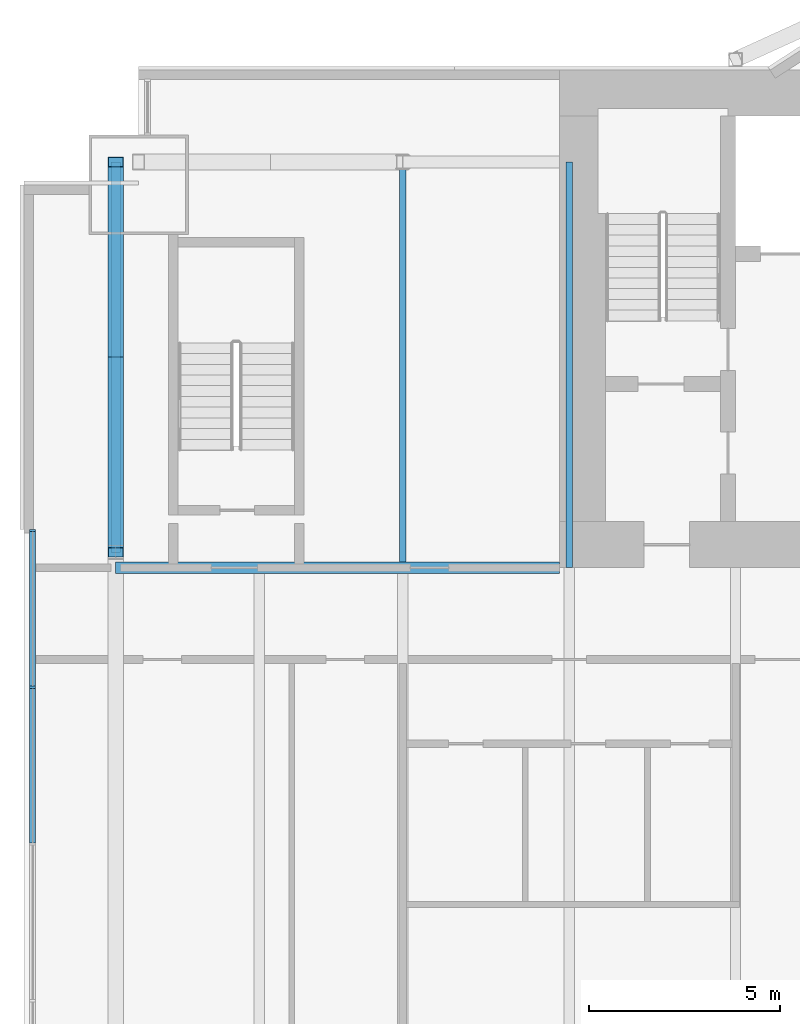
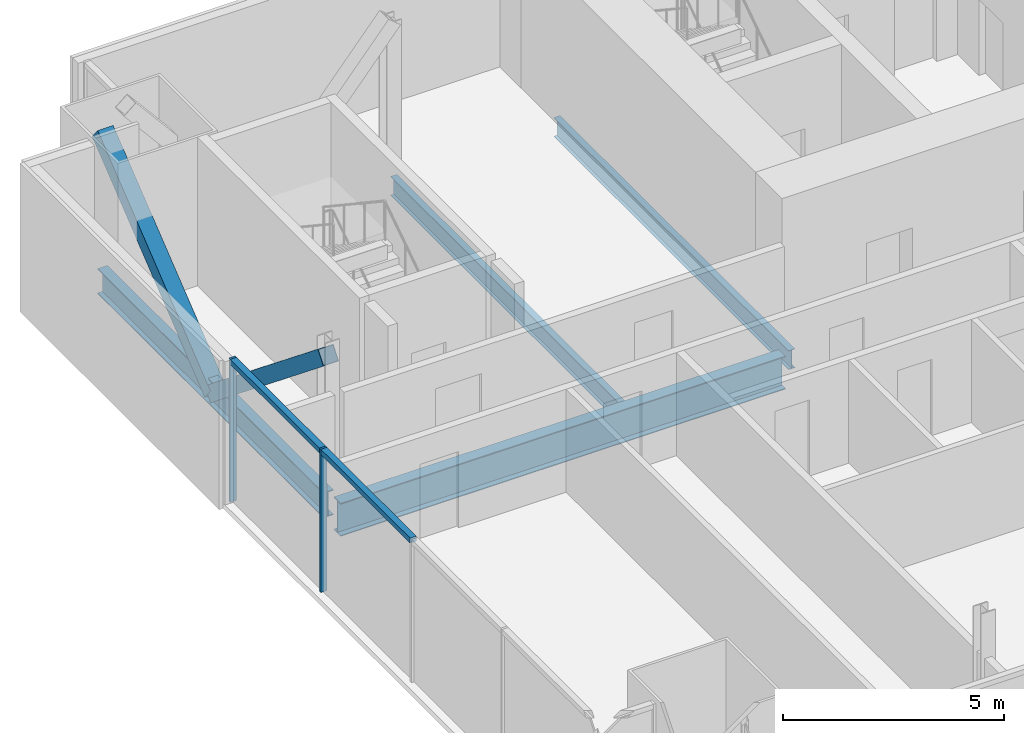
# One storey, part 7 of 20: 6 members, 4 beams, 1 element without a shape of its own.
"""IFC4 building model written with IfcOpenShell, lengths in metres."""

from ifc_helpers import new_model, si_unit, direction, frame, origin, origin_2d, place, context, subcontext, project, spatial, rectangle, hollow_rectangle, i_section, extrude, material, material_profile, profile_set, type_object, element, aggregate, save


model = new_model("IFC4")

# Units and contexts
model_context = context("Model", 3, precision=1e-05, world=origin(), true_north=direction((0.0, 1.0)))
body_context = subcontext(model_context, "Body", "Model", "MODEL_VIEW")
ifc_project = project(units=[si_unit("LENGTHUNIT", "METRE"), si_unit("AREAUNIT", "SQUARE_METRE"), si_unit("VOLUMEUNIT", "CUBIC_METRE"), si_unit("PLANEANGLEUNIT", "RADIAN"), si_unit("MASSUNIT", "GRAM", prefix="KILO")], contexts=[model_context])

# Site, building, storey
site_placement = place(None, origin())
site = spatial("IfcSite", under=ifc_project, at=site_placement, CompositionType="ELEMENT")
building_placement = place(site_placement, origin())
building = spatial("IfcBuilding", under=site, at=building_placement, Name="Bicima Exchange Tower", CompositionType="ELEMENT")
storey_placement = place(building_placement, frame((0.0, 0.0, 215.5)))
storey = spatial("IfcBuildingStorey", under=building, at=storey_placement, Name="L48", CompositionType="ELEMENT", Elevation=215.5)

# Beam
ifc_material_1 = material(Name="Steel ASTM A992 Gr 50", Category="steel")
ifc_material_profile_1 = material_profile(ifc_material_1, i_section(OverallWidth=0.3046875, OverallDepth=0.911865234375, WebThickness=0.015869140625, FlangeThickness=0.02392578125, at=origin_2d()))
ifc_profile_set_1 = profile_set([ifc_material_profile_1], Name="Steel ASTM A992 Gr 50")
beam_type_1 = type_object("IfcBeamType", Name="Core-line girder W36x150", PredefinedType="BEAM", material=ifc_profile_set_1)
beam_1_placement = place(storey_placement, frame((-22.0, -13.0, -0.60595703125), z_axis=(-1.0, 0.0, 0.0), x_axis=(0.0, -1.0, 0.0)))
element("IfcBeam", 1, at=beam_1_placement, inside=storey, type_object=beam_type_1, Name="Core-line girder", PredefinedType="BEAM", context=body_context, shape_type="SweptSolid", body=[
    extrude(i_section(OverallWidth=0.3046875, OverallDepth=0.911865234375, WebThickness=0.015869140625, FlangeThickness=0.02392578125, at=origin_2d()), origin(), (0.0, 0.0, 1.0), 11.60009765625),
])

# Curtain wall, members
ifc_material_2 = material(Name="Anodised bronze aluminium", Category="aluminium")
curtain_wall_type = type_object("IfcCurtainWallType", Name="End face glass wall", PredefinedType="NOTDEFINED", material=ifc_material_2)
curtain_wall_placement = place(storey_placement, origin())
curtain_wall = element("IfcCurtainWall", 2, at=curtain_wall_placement, inside=storey, type_object=curtain_wall_type, Name="End face glass wall L48 run 2", PredefinedType="NOTDEFINED")
ifc_material_profile_2 = material_profile(ifc_material_2, rectangle(XDim=0.159912109375, YDim=0.06005859375, at=origin_2d()))
ifc_profile_set_2 = profile_set([ifc_material_profile_2], Name="Anodised bronze aluminium")
member_type_1 = type_object("IfcMemberType", Name="End face glass wall mullion 60 x 160", PredefinedType="MULLION", material=ifc_profile_set_2)
member_1_placement = place(storey_placement, frame((-35.77001953125, -12.030029296875, 0.0), z_axis=(0.0, 0.0, 1.0), x_axis=(1.0, 0.0, 0.0)))
member_1 = element("IfcMember", 3, at=member_1_placement, type_object=member_type_1, Name="End face glass wall mullion 1", PredefinedType="MULLION", context=body_context, shape_type="SweptSolid", body=[
    extrude(rectangle(XDim=0.159912109375, YDim=0.06005859375, at=origin_2d()), origin(), (0.0, 0.0, 1.0), 3.949951171875),
])
member_2_placement = place(storey_placement, frame((-35.77001953125, -16.12548828125, 0.0), z_axis=(0.0, 0.0, 1.0), x_axis=(1.0, 0.0, 0.0)))
member_2 = element("IfcMember", 4, at=member_2_placement, type_object=member_type_1, Name="End face glass wall mullion 2", PredefinedType="MULLION", context=body_context, shape_type="SweptSolid", body=[
    extrude(rectangle(XDim=0.159912109375, YDim=0.06005859375, at=origin_2d()), origin(), (0.0, 0.0, 1.0), 3.949951171875),
])
ifc_material_profile_3 = material_profile(ifc_material_2, rectangle(XDim=0.159912109375, YDim=0.139892578125, at=origin_2d()))
ifc_profile_set_3 = profile_set([ifc_material_profile_3], Name="Anodised bronze aluminium")
member_type_2 = type_object("IfcMemberType", Name="End face glass wall transom 140 x 160", PredefinedType="USERDEFINED", material=ifc_profile_set_3)
member_3_placement = place(storey_placement, frame((-35.77001953125, -12.06005859375, 3.8798828125), z_axis=(0.0, -1.0, 0.0), x_axis=(1.0, 0.0, 0.0)))
member_3 = element("IfcMember", 5, at=member_3_placement, type_object=member_type_2, Name="End face glass wall transom 1.1", ObjectType="TRANSOM", PredefinedType="USERDEFINED", context=body_context, shape_type="SweptSolid", body=[
    extrude(rectangle(XDim=0.159912109375, YDim=0.139892578125, at=origin_2d()), origin(), (0.0, 0.0, 1.0), 4.035400390625),
])
member_4_placement = place(storey_placement, frame((-35.77001953125, -16.155517578125, 3.8798828125), z_axis=(0.0, -1.0, 0.0), x_axis=(1.0, 0.0, 0.0)))
member_4 = element("IfcMember", 6, at=member_4_placement, type_object=member_type_2, Name="End face glass wall transom 2.1", ObjectType="TRANSOM", PredefinedType="USERDEFINED", context=body_context, shape_type="SweptSolid", body=[
    extrude(rectangle(XDim=0.159912109375, YDim=0.139892578125, at=origin_2d()), origin(), (0.0, 0.0, 1.0), 4.035400390625),
])
aggregate(curtain_wall, [member_1, member_2, member_3, member_4])

# Beams
ifc_material_profile_4 = material_profile(ifc_material_1, i_section(OverallWidth=0.256591796875, OverallDepth=0.693359375, WebThickness=0.014404296875, FlangeThickness=0.023681640625, at=origin_2d()))
ifc_profile_set_4 = profile_set([ifc_material_profile_4], Name="Steel ASTM A992 Gr 50")
beam_type_2 = type_object("IfcBeamType", Name="End girder W27x114", PredefinedType="BEAM", material=ifc_profile_set_4)
beam_2_placement = place(storey_placement, frame((-33.60009765625, -2.39990234375, -0.49658203125), z_axis=(0.0, -1.0, 0.0), x_axis=(1.0, 0.0, 0.0)))
element("IfcBeam", 7, at=beam_2_placement, inside=storey, type_object=beam_type_2, Name="End girder", PredefinedType="BEAM", context=body_context, shape_type="SweptSolid", body=[
    extrude(i_section(OverallWidth=0.256591796875, OverallDepth=0.693359375, WebThickness=0.014404296875, FlangeThickness=0.023681640625, at=origin_2d()), origin(), (0.0, 0.0, 1.0), 10.2001953125),
])
ifc_material_profile_5 = material_profile(ifc_material_1, i_section(OverallWidth=0.165771484375, OverallDepth=0.5283203125, WebThickness=0.009765625, FlangeThickness=0.013671875, at=origin_2d()))
ifc_profile_set_5 = profile_set([ifc_material_profile_5], Name="Steel ASTM A992 Gr 50")
beam_type_3 = type_object("IfcBeamType", Name="Floor beam W21x50", PredefinedType="JOIST", material=ifc_profile_set_5)
beam_3_placement = place(storey_placement, frame((-26.10009765625, -2.5625, -0.414306640625), z_axis=(0.0, -1.0, 0.0), x_axis=(1.0, 0.0, 0.0)))
element("IfcBeam", 8, at=beam_3_placement, inside=storey, type_object=beam_type_3, Name="Floor beam", PredefinedType="JOIST", context=body_context, shape_type="SweptSolid", body=[
    extrude(i_section(OverallWidth=0.165771484375, OverallDepth=0.5283203125, WebThickness=0.009765625, FlangeThickness=0.013671875, at=origin_2d()), origin(), (0.0, 0.0, 1.0), 10.28515625),
])
beam_4_placement = place(storey_placement, frame((-21.75, -2.39990234375, -0.414306640625), z_axis=(0.0, -1.0, 0.0), x_axis=(1.0, 0.0, 0.0)))
element("IfcBeam", 9, at=beam_4_placement, inside=storey, type_object=beam_type_3, Name="Floor beam", PredefinedType="JOIST", context=body_context, shape_type="SweptSolid", body=[
    extrude(i_section(OverallWidth=0.165771484375, OverallDepth=0.5283203125, WebThickness=0.009765625, FlangeThickness=0.013671875, at=origin_2d()), origin(), (0.0, 0.0, 1.0), 10.60009765625),
])

# Members
ifc_material_3 = material(Name="Steel ASTM A572 Gr 50", Category="steel")
ifc_material_profile_6 = material_profile(ifc_material_3, hollow_rectangle(XDim=0.406494140625, YDim=0.406494140625, WallThickness=0.0146484375, at=origin_2d()))
ifc_profile_set_6 = profile_set([ifc_material_profile_6], Name="Steel ASTM A572 Gr 50")
member_type_3 = type_object("IfcMemberType", Name="Mega brace HSS16x16x5/8", PredefinedType="BRACE", material=ifc_profile_set_6)
for number, where, z_axis, x_axis, name in (
    (10, (-33.60009765625, -7.5, -0.49658203125), (0.0, -0.779392460608, 0.626536026376), (1.0, 0.0, 0.0), "Mega brace west end"),
    (11, (-33.60009765625, -7.5, -0.49658203125), (0.0, 0.779392460608, 0.626536026376), (-1.0, 0.0, 0.0), "Mega brace west end"),
):
    element("IfcMember", number, at=place(storey_placement, frame(where, z_axis=z_axis, x_axis=x_axis)), inside=storey, type_object=member_type_3, Name=name, PredefinedType="BRACE", context=body_context, shape_type="SweptSolid", body=[
        extrude(hollow_rectangle(XDim=0.406494140625, YDim=0.406494140625, WallThickness=0.0146484375, at=origin_2d()), origin(), (0.0, 0.0, 1.0), 6.543701171875),
    ])

save(model, "model.ifc")
